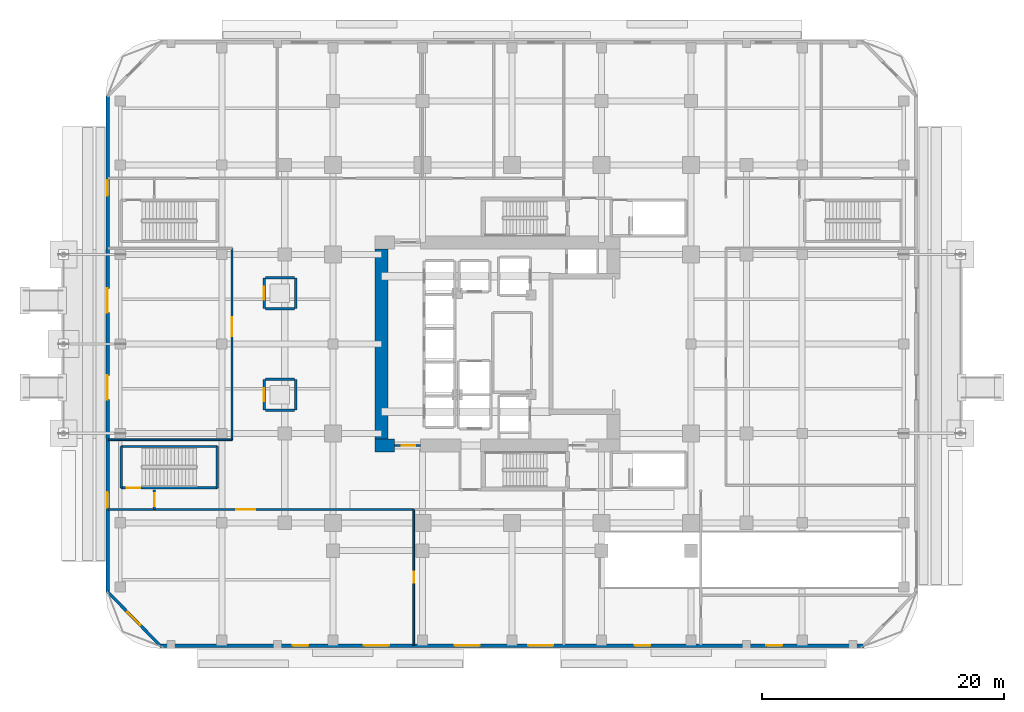
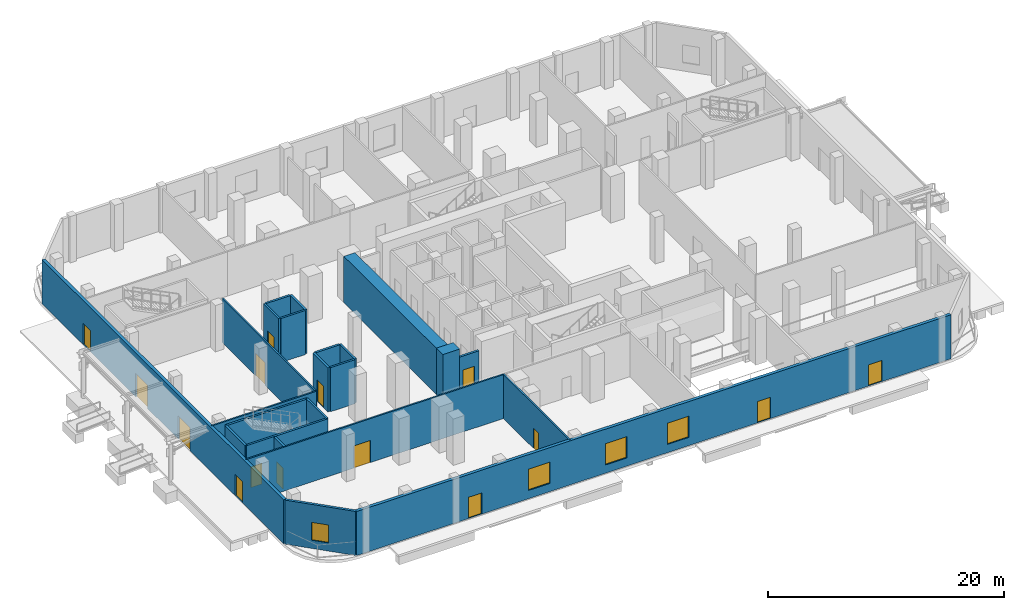
# One storey, part 13 of 24: 23 walls, 15 doors, 4 windows, 19 openings.
"""IFC4 building model written with IfcOpenShell, lengths in metres."""

from ifc_helpers import new_model, si_unit, direction, frame, frame_2d, origin, place, context, subcontext, project, spatial, rectangle, extrude, material, layer, layer_set, type_object, element, fill, save


model = new_model("IFC4")

# Units and contexts
model_context = context("Model", 3, precision=1e-05, world=origin(), true_north=direction((0.0, 1.0)))
body_context = subcontext(model_context, "Body", "Model", "MODEL_VIEW")
ifc_project = project(units=[si_unit("LENGTHUNIT", "METRE"), si_unit("AREAUNIT", "SQUARE_METRE"), si_unit("VOLUMEUNIT", "CUBIC_METRE"), si_unit("PLANEANGLEUNIT", "RADIAN"), si_unit("MASSUNIT", "GRAM", prefix="KILO")], contexts=[model_context])

# Site, building, storey
site_placement = place(None, origin())
site = spatial("IfcSite", under=ifc_project, at=site_placement, CompositionType="ELEMENT")
building_placement = place(site_placement, origin())
building = spatial("IfcBuilding", under=site, at=building_placement, Name="Khorvyn Point Tower", CompositionType="ELEMENT")
storey_placement = place(building_placement, origin())
storey = spatial("IfcBuildingStorey", under=building, at=storey_placement, Name="L01", CompositionType="ELEMENT", Elevation=0.0)

# Wall, opening, window
ifc_material_1 = material(Name="Pale anodised aluminium rainscreen on steel stud", Category="steel")
ifc_layer_1 = layer(ifc_material_1, 0.239990234375)
ifc_layer_set_1 = layer_set([ifc_layer_1], Name="Anodised Aluminium Insulated Corner Spandrel Wall 240")
wall_type_1 = type_object("IfcWallType", Name="Anodised Aluminium Insulated Corner Spandrel Wall 240", PredefinedType="SOLIDWALL", material=ifc_layer_set_1)
wall_1_placement = place(storey_placement, frame((-29.10009765625, -24.949951171875, 0.0), z_axis=(0.0, 0.0, 1.0), x_axis=(-0.69901822973, 0.715103848756, 0.0)))
wall_1 = element("IfcWall", 1, at=wall_1_placement, inside=storey, type_object=wall_type_1, Name="L01 Rounded Corner Wall SW", PredefinedType="SOLIDWALL", context=body_context, shape_type="SweptSolid", body=[
    extrude(rectangle(XDim=6.222900390625, YDim=0.239990234375, at=frame_2d((3.111328125, 0.0))), origin(), (0.0, 0.0, 1.0), 4.56005859375),
])
opening_1_placement = place(wall_1_placement, frame((2.361572265625, 0.0, 0.85009765625)))
opening_1 = element("IfcOpeningElement", 2, at=opening_1_placement, cuts=wall_1, Name="Opening WN-1518", PredefinedType="OPENING", context=body_context, shape_type="SweptSolid", body=[
    extrude(rectangle(XDim=1.5, YDim=1.85009765625, at=frame_2d((0.75, 0.925048828125))), frame((0.0, 0.1298828125, 0.0), z_axis=(0.0, -1.0, 0.0), x_axis=(1.0, 0.0, 0.0)), (0.0, 0.0, 1.0), 0.260009765625),
])
ifc_material_2 = material(Name="Anodised aluminium 6063-T6 and laminated Low-E glass", Category="aluminium")
window_type_1 = type_object("IfcWindowType", Name="Anodised Aluminium Rounded-Corner Panoramic Window 1500x1850", PartitioningType="SINGLE_PANEL", PredefinedType="WINDOW", material=ifc_material_2)
window_1_placement = place(opening_1_placement, origin())
window_1 = element("IfcWindow", 3, at=window_1_placement, inside=storey, type_object=window_type_1, Name="L01 Corner Window SW", OverallHeight=1.85009765625, OverallWidth=1.5, PartitioningType="SINGLE_PANEL", PredefinedType="WINDOW", context=body_context, shape_type="SweptSolid", body=[
    extrude(rectangle(XDim=1.5, YDim=1.85009765625, at=frame_2d((0.75, 0.925048828125))), frame((0.0, 0.030029296875, 0.0), z_axis=(0.0, -1.0, 0.0), x_axis=(1.0, 0.0, 0.0)), (0.0, 0.0, 1.0), 0.06005859375),
])
fill(opening_1, window_1)

# Wall, opening, door
ifc_material_3 = material(Name="Concrete C40/50", Category="concrete")
ifc_layer_2 = layer(ifc_material_3, 0.199951171875)
ifc_layer_set_2 = layer_set([ifc_layer_2], Name="Concrete C40/50 Fire-Lobby Compartment Wall 200")
wall_type_2 = type_object("IfcWallType", Name="Concrete C40/50 Fire-Lobby Compartment Wall 200", PredefinedType="SOLIDWALL", material=ifc_layer_set_2)
wall_2_placement = place(storey_placement, frame((-9.699951171875, -8.39990234375, 0.0), z_axis=(0.0, 0.0, 1.0), x_axis=(1.0, 0.0, 0.0)))
wall_2 = element("IfcWall", 4, at=wall_2_placement, inside=storey, type_object=wall_type_2, Name="Wall", PredefinedType="SOLIDWALL", context=body_context, shape_type="SweptSolid", body=[
    extrude(rectangle(XDim=2.14990234375, YDim=0.199951171875, at=frame_2d((1.074951171875, 0.0))), origin(), (0.0, 0.0, 1.0), 3.60009765625),
])
opening_2_placement = place(wall_2_placement, frame((0.597900390625, 0.0, 0.0)))
opening_2 = element("IfcOpeningElement", 5, at=opening_2_placement, cuts=wall_2, Name="Opening ID-FL90", PredefinedType="OPENING", context=body_context, shape_type="SweptSolid", body=[
    extrude(rectangle(XDim=1.10009765625, YDim=2.14990234375, at=frame_2d((0.550048828125, 1.074951171875))), frame((0.0, 0.10986328125, 0.0), z_axis=(0.0, -1.0, 0.0), x_axis=(1.0, 0.0, 0.0)), (0.0, 0.0, 1.0), 0.219970703125),
])
ifc_material_4 = material(Name="Galvanised powder-coated steel", Category="steel")
door_type_1 = type_object("IfcDoorType", Name="Fire-Rated Steel Lobby and Stair Door 1100x2150", OperationType="NOTDEFINED", PredefinedType="DOOR", material=ifc_material_4)
door_1_placement = place(opening_2_placement, origin())
door_1 = element("IfcDoor", 6, at=door_1_placement, inside=storey, type_object=door_type_1, Name="Door", OperationType="SINGLE_SWING_LEFT", OverallHeight=2.14990234375, OverallWidth=1.10009765625, PredefinedType="DOOR", context=body_context, shape_type="SweptSolid", body=[
    extrude(rectangle(XDim=1.10009765625, YDim=2.14990234375, at=frame_2d((0.550048828125, 1.074951171875))), frame((0.0, 0.02490234375, 0.0), z_axis=(0.0, -1.0, 0.0), x_axis=(1.0, 0.0, 0.0)), (0.0, 0.0, 1.0), 0.050048828125),
])
fill(opening_2, door_1)

wall_3_placement = place(storey_placement, frame((-29.580078125, -13.699951171875, 0.0), z_axis=(0.0, 0.0, 1.0), x_axis=(0.0, 1.0, 0.0)))
wall_3 = element("IfcWall", 7, at=wall_3_placement, inside=storey, type_object=wall_type_2, Name="Wall", PredefinedType="SOLIDWALL", context=body_context, shape_type="SweptSolid", body=[
    extrude(rectangle(XDim=1.639892578125, YDim=0.199951171875, at=frame_2d((0.81982421875, 0.0))), origin(), (0.0, 0.0, 1.0), 4.56005859375),
])
opening_3_placement = place(wall_3_placement, frame((0.27001953125, 0.0, 0.0)))
opening_3 = element("IfcOpeningElement", 8, at=opening_3_placement, cuts=wall_3, Name="Opening ID-FL90", PredefinedType="OPENING", context=body_context, shape_type="SweptSolid", body=[
    extrude(rectangle(XDim=1.10009765625, YDim=2.14990234375, at=frame_2d((0.550048828125, 1.074951171875))), frame((0.0, 0.10986328125, 0.0), z_axis=(0.0, -1.0, 0.0), x_axis=(1.0, 0.0, 0.0)), (0.0, 0.0, 1.0), 0.219970703125),
])
door_2_placement = place(opening_3_placement, origin())
door_2 = element("IfcDoor", 9, at=door_2_placement, inside=storey, type_object=door_type_1, Name="Door", OperationType="SINGLE_SWING_LEFT", OverallHeight=2.14990234375, OverallWidth=1.10009765625, PredefinedType="DOOR", context=body_context, shape_type="SweptSolid", body=[
    extrude(rectangle(XDim=1.10009765625, YDim=2.14990234375, at=frame_2d((0.550048828125, 1.074951171875))), frame((0.0, 0.02490234375, 0.0), z_axis=(0.0, -1.0, 0.0), x_axis=(1.0, 0.0, 0.0)), (0.0, 0.0, 1.0), 0.050048828125),
])
fill(opening_3, door_2)

ifc_layer_3 = layer(ifc_material_3, 0.199951171875)
ifc_layer_set_3 = layer_set([ifc_layer_3], Name="Concrete C40/50 Structural Hoistway and Stair Shaft Wall 200")
wall_type_3 = type_object("IfcWallType", Name="Concrete C40/50 Structural Hoistway and Stair Shaft Wall 200", PredefinedType="SHEAR", material=ifc_layer_set_3)
wall_4_placement = place(storey_placement, frame((-20.5, -5.47509765625, 0.0), z_axis=(0.0, 0.0, 1.0), x_axis=(0.0, 1.0, 0.0)))
wall_4 = element("IfcWall", 10, at=wall_4_placement, inside=storey, type_object=wall_type_3, Name="Wall", PredefinedType="SHEAR", context=body_context, shape_type="SweptSolid", body=[
    extrude(rectangle(XDim=2.550048828125, YDim=0.199951171875, at=frame_2d((1.27490234375, 0.0))), origin(), (0.0, 0.0, 1.0), 4.56005859375),
])
opening_4_placement = place(wall_4_placement, frame((0.72509765625, 0.0, 0.0)))
opening_4 = element("IfcOpeningElement", 11, at=opening_4_placement, cuts=wall_4, Name="Opening LD-1122", PredefinedType="OPENING", context=body_context, shape_type="SweptSolid", body=[
    extrude(rectangle(XDim=1.10009765625, YDim=2.199951171875, at=frame_2d((0.550048828125, 1.10009765625))), frame((0.0, 0.10986328125, 0.0), z_axis=(0.0, -1.0, 0.0), x_axis=(1.0, 0.0, 0.0)), (0.0, 0.0, 1.0), 0.219970703125),
])
ifc_material_5 = material(Name="Stainless steel 1.4301", Category="steel")
door_type_2 = type_object("IfcDoorType", Name="Stainless Steel Automatic Sliding Lift Landing Door 1100x2200", OperationType="SLIDING_TO_LEFT", PredefinedType="DOOR", material=ifc_material_5)
door_3_placement = place(opening_4_placement, origin())
door_3 = element("IfcDoor", 12, at=door_3_placement, inside=storey, type_object=door_type_2, Name="L01 SL-01 Sliding Lift Landing Door", OperationType="SLIDING_TO_LEFT", OverallHeight=2.199951171875, OverallWidth=1.10009765625, PredefinedType="DOOR", context=body_context, shape_type="SweptSolid", body=[
    extrude(rectangle(XDim=1.10009765625, YDim=2.199951171875, at=frame_2d((0.550048828125, 1.10009765625))), frame((0.0, 0.02490234375, 0.0), z_axis=(0.0, -1.0, 0.0), x_axis=(1.0, 0.0, 0.0)), (0.0, 0.0, 1.0), 0.050048828125),
])
fill(opening_4, door_3)

# Walls
wall_5_placement = place(storey_placement, frame((-17.89990234375, -5.47509765625, 0.0), z_axis=(0.0, 0.0, 1.0), x_axis=(0.0, 1.0, 0.0)))
element("IfcWall", 13, at=wall_5_placement, inside=storey, type_object=wall_type_3, Name="Wall", PredefinedType="SHEAR", context=body_context, shape_type="SweptSolid", body=[
    extrude(rectangle(XDim=2.550048828125, YDim=0.199951171875, at=frame_2d((1.27490234375, 0.0))), origin(), (0.0, 0.0, 1.0), 4.56005859375),
])
for number, where, z_axis, x_axis, name in (
    (14, (-20.39990234375, -5.47509765625, 0.0), (0.0, 0.0, 1.0), (1.0, 0.0, 0.0), "Wall"),
    (15, (-20.39990234375, -2.925048828125, 0.0), (0.0, 0.0, 1.0), (1.0, 0.0, 0.0), "Wall"),
):
    element("IfcWall", number, at=place(storey_placement, frame(where, z_axis=z_axis, x_axis=x_axis)), inside=storey, type_object=wall_type_3, Name=name, PredefinedType="SHEAR", context=body_context, shape_type="SweptSolid", body=[
        extrude(rectangle(XDim=2.39990234375, YDim=0.199951171875, at=frame_2d((1.199951171875, 0.0))), origin(), (0.0, 0.0, 1.0), 4.56005859375),
    ])

# Wall, opening, door
wall_6_placement = place(storey_placement, frame((-20.5, 2.925048828125, 0.0), z_axis=(0.0, 0.0, 1.0), x_axis=(0.0, 1.0, 0.0)))
wall_6 = element("IfcWall", 16, at=wall_6_placement, inside=storey, type_object=wall_type_3, Name="Wall", PredefinedType="SHEAR", context=body_context, shape_type="SweptSolid", body=[
    extrude(rectangle(XDim=2.550048828125, YDim=0.199951171875, at=frame_2d((1.27490234375, 0.0))), origin(), (0.0, 0.0, 1.0), 4.56005859375),
])
opening_5_placement = place(wall_6_placement, frame((0.72509765625, 0.0, 0.0)))
opening_5 = element("IfcOpeningElement", 17, at=opening_5_placement, cuts=wall_6, Name="Opening LD-1122", PredefinedType="OPENING", context=body_context, shape_type="SweptSolid", body=[
    extrude(rectangle(XDim=1.10009765625, YDim=2.199951171875, at=frame_2d((0.550048828125, 1.10009765625))), frame((0.0, 0.10986328125, 0.0), z_axis=(0.0, -1.0, 0.0), x_axis=(1.0, 0.0, 0.0)), (0.0, 0.0, 1.0), 0.219970703125),
])
door_4_placement = place(opening_5_placement, origin())
door_4 = element("IfcDoor", 18, at=door_4_placement, inside=storey, type_object=door_type_2, Name="L01 SL-02 Sliding Lift Landing Door", OperationType="SLIDING_TO_LEFT", OverallHeight=2.199951171875, OverallWidth=1.10009765625, PredefinedType="DOOR", context=body_context, shape_type="SweptSolid", body=[
    extrude(rectangle(XDim=1.10009765625, YDim=2.199951171875, at=frame_2d((0.550048828125, 1.10009765625))), frame((0.0, 0.02490234375, 0.0), z_axis=(0.0, -1.0, 0.0), x_axis=(1.0, 0.0, 0.0)), (0.0, 0.0, 1.0), 0.050048828125),
])
fill(opening_5, door_4)

# Walls
wall_7_placement = place(storey_placement, frame((-17.89990234375, 2.925048828125, 0.0), z_axis=(0.0, 0.0, 1.0), x_axis=(0.0, 1.0, 0.0)))
element("IfcWall", 19, at=wall_7_placement, inside=storey, type_object=wall_type_3, Name="Wall", PredefinedType="SHEAR", context=body_context, shape_type="SweptSolid", body=[
    extrude(rectangle(XDim=2.550048828125, YDim=0.199951171875, at=frame_2d((1.27490234375, 0.0))), origin(), (0.0, 0.0, 1.0), 4.56005859375),
])
for number, where, z_axis, x_axis, name in (
    (20, (-20.39990234375, 2.925048828125, 0.0), (0.0, 0.0, 1.0), (1.0, 0.0, 0.0), "Wall"),
    (21, (-20.39990234375, 5.47509765625, 0.0), (0.0, 0.0, 1.0), (1.0, 0.0, 0.0), "Wall"),
):
    element("IfcWall", number, at=place(storey_placement, frame(where, z_axis=z_axis, x_axis=x_axis)), inside=storey, type_object=wall_type_3, Name=name, PredefinedType="SHEAR", context=body_context, shape_type="SweptSolid", body=[
        extrude(rectangle(XDim=2.39990234375, YDim=0.199951171875, at=frame_2d((1.199951171875, 0.0))), origin(), (0.0, 0.0, 1.0), 4.56005859375),
    ])
for number, where, z_axis, x_axis, name in (
    (22, (-32.330078125, -11.89990234375, 0.0), (0.0, 0.0, 1.0), (0.0, 1.0, 0.0), "Wall"),
    (23, (-24.3701171875, -8.47998046875, 0.0), (0.0, 0.0, 1.0), (0.0, -1.0, 0.0), "Wall"),
):
    element("IfcWall", number, at=place(storey_placement, frame(where, z_axis=z_axis, x_axis=x_axis)), inside=storey, type_object=wall_type_3, Name=name, PredefinedType="SHEAR", context=body_context, shape_type="SweptSolid", body=[
        extrude(rectangle(XDim=3.419921875, YDim=0.199951171875, at=frame_2d((1.7099609375, 0.0))), origin(), (0.0, 0.0, 1.0), 4.56005859375),
    ])

# Wall, opening, door
wall_8_placement = place(storey_placement, frame((-24.3701171875, -11.89990234375, 0.0), z_axis=(0.0, 0.0, 1.0), x_axis=(-1.0, 0.0, 0.0)))
wall_8 = element("IfcWall", 24, at=wall_8_placement, inside=storey, type_object=wall_type_3, Name="Wall", PredefinedType="SHEAR", context=body_context, shape_type="SweptSolid", body=[
    extrude(rectangle(XDim=7.9599609375, YDim=0.199951171875, at=frame_2d((3.97998046875, 0.0))), origin(), (0.0, 0.0, 1.0), 4.56005859375),
])
opening_6_placement = place(wall_8_placement, frame((6.39990234375, 0.0, 0.0)))
opening_6 = element("IfcOpeningElement", 25, at=opening_6_placement, cuts=wall_8, Name="Opening ID-FL90", PredefinedType="OPENING", context=body_context, shape_type="SweptSolid", body=[
    extrude(rectangle(XDim=1.10009765625, YDim=2.14990234375, at=frame_2d((0.550048828125, 1.074951171875))), frame((0.0, 0.10986328125, 0.0), z_axis=(0.0, -1.0, 0.0), x_axis=(1.0, 0.0, 0.0)), (0.0, 0.0, 1.0), 0.219970703125),
])
door_5_placement = place(opening_6_placement, origin())
door_5 = element("IfcDoor", 26, at=door_5_placement, inside=storey, type_object=door_type_1, Name="L01 ST-S1 Smokeproof Landing Door", OperationType="SINGLE_SWING_RIGHT", OverallHeight=2.14990234375, OverallWidth=1.10009765625, PredefinedType="DOOR", context=body_context, shape_type="SweptSolid", body=[
    extrude(rectangle(XDim=1.10009765625, YDim=2.14990234375, at=frame_2d((0.550048828125, 1.074951171875))), frame((0.0, 0.02490234375, 0.0), z_axis=(0.0, -1.0, 0.0), x_axis=(1.0, 0.0, 0.0)), (0.0, 0.0, 1.0), 0.050048828125),
])
fill(opening_6, door_5)

# Walls
wall_9_placement = place(storey_placement, frame((-32.330078125, -8.47998046875, 0.0), z_axis=(0.0, 0.0, 1.0), x_axis=(1.0, 0.0, 0.0)))
element("IfcWall", 27, at=wall_9_placement, inside=storey, type_object=wall_type_3, Name="Wall", PredefinedType="SHEAR", context=body_context, shape_type="SweptSolid", body=[
    extrude(rectangle(XDim=7.9599609375, YDim=0.199951171875, at=frame_2d((3.97998046875, 0.0))), origin(), (0.0, 0.0, 1.0), 4.56005859375),
])
ifc_material_6 = material(Name="Concrete C50/60", Category="concrete")
ifc_layer_4 = layer(ifc_material_6, 1.10009765625)
ifc_layer_set_4 = layer_set([ifc_layer_4], Name="Concrete C50/60 Core Shear Wall 1100")
wall_type_4 = type_object("IfcWallType", Name="Concrete C50/60 Core Shear Wall 1100", PredefinedType="SHEAR", material=ifc_layer_set_4)
wall_10_placement = place(storey_placement, frame((-11.35009765625, -8.39990234375, 0.0), z_axis=(0.0, 0.0, 1.0), x_axis=(1.0, 0.0, 0.0)))
element("IfcWall", 28, at=wall_10_placement, inside=storey, type_object=wall_type_4, Name="Wall", PredefinedType="SHEAR", context=body_context, shape_type="SweptSolid", body=[
    extrude(rectangle(XDim=1.650146484375, YDim=1.10009765625, at=frame_2d((0.8251953125, 0.0))), origin(), (0.0, 0.0, 1.0), 4.800048828125),
])
wall_11_placement = place(storey_placement, frame((-10.800048828125, -7.85009765625, 0.0), z_axis=(0.0, 0.0, 1.0), x_axis=(0.0, 1.0, 0.0)))
element("IfcWall", 29, at=wall_11_placement, inside=storey, type_object=wall_type_4, Name="Wall", PredefinedType="SHEAR", context=body_context, shape_type="SweptSolid", body=[
    extrude(rectangle(XDim=15.7001953125, YDim=1.10009765625, at=frame_2d((7.85009765625, 0.0))), origin(), (0.0, 0.0, 1.0), 4.800048828125),
])

# Wall, opening, door
ifc_material_7 = material(Name="Moisture-resistant gypsum and cement board", Category="gypsum")
ifc_layer_5 = layer(ifc_material_7, 0.14990234375)
ifc_layer_set_5 = layer_set([ifc_layer_5], Name="Moisture-Resistant Wet-Room Partition Wall 150")
wall_type_5 = type_object("IfcWallType", Name="Moisture-Resistant Wet-Room Partition Wall 150", PredefinedType="PARTITIONING", material=ifc_layer_set_5)
wall_12_placement = place(storey_placement, frame((-33.419921875, -13.699951171875, 0.0), z_axis=(0.0, 0.0, 1.0), x_axis=(1.0, 0.0, 0.0)))
wall_12 = element("IfcWall", 30, at=wall_12_placement, inside=storey, type_object=wall_type_5, Name="Wall", PredefinedType="PARTITIONING", context=body_context, shape_type="SweptSolid", body=[
    extrude(rectangle(XDim=25.2998046875, YDim=0.14990234375, at=frame_2d((12.64990234375, 0.0))), origin(), (0.0, 0.0, 1.0), 4.56005859375),
])
opening_7_placement = place(wall_12_placement, frame((10.591064453125, 0.0, 0.0)))
opening_7 = element("IfcOpeningElement", 31, at=opening_7_placement, cuts=wall_12, Name="Opening ID-LB30", PredefinedType="OPENING", context=body_context, shape_type="SweptSolid", body=[
    extrude(rectangle(XDim=1.60009765625, YDim=2.300048828125, at=frame_2d((0.800048828125, 1.14990234375))), frame((0.0, 0.0849609375, 0.0), z_axis=(0.0, -1.0, 0.0), x_axis=(1.0, 0.0, 0.0)), (0.0, 0.0, 1.0), 0.169921875),
])
ifc_material_8 = material(Name="Anodised aluminium 6063-T6 and tempered glass", Category="aluminium")
door_type_3 = type_object("IfcDoorType", Name="Glazed Aluminium Sky-Lobby Double Swing Door 1600x2300", OperationType="DOUBLE_DOOR_SINGLE_SWING", PredefinedType="DOOR", material=ifc_material_8)
door_6_placement = place(opening_7_placement, origin())
door_6 = element("IfcDoor", 32, at=door_6_placement, inside=storey, type_object=door_type_3, Name="Door", OperationType="SINGLE_SWING_LEFT", OverallHeight=2.300048828125, OverallWidth=1.60009765625, PredefinedType="DOOR", context=body_context, shape_type="SweptSolid", body=[
    extrude(rectangle(XDim=1.60009765625, YDim=2.300048828125, at=frame_2d((0.800048828125, 1.14990234375))), frame((0.0, 0.02490234375, 0.0), z_axis=(0.0, -1.0, 0.0), x_axis=(1.0, 0.0, 0.0)), (0.0, 0.0, 1.0), 0.050048828125),
])
fill(opening_7, door_6)

wall_13_placement = place(storey_placement, frame((-8.1201171875, -24.919921875, 0.0), z_axis=(0.0, 0.0, 1.0), x_axis=(0.0, 1.0, 0.0)))
wall_13 = element("IfcWall", 33, at=wall_13_placement, inside=storey, type_object=wall_type_5, Name="Wall", PredefinedType="PARTITIONING", context=body_context, shape_type="SweptSolid", body=[
    extrude(rectangle(XDim=11.219970703125, YDim=0.14990234375, at=frame_2d((5.60986328125, 0.0))), origin(), (0.0, 0.0, 1.0), 4.56005859375),
])
opening_8_placement = place(wall_13_placement, frame((5.159912109375, 0.0, 0.0)))
opening_8 = element("IfcOpeningElement", 34, at=opening_8_placement, cuts=wall_13, Name="Opening ID-RM90", PredefinedType="OPENING", context=body_context, shape_type="SweptSolid", body=[
    extrude(rectangle(XDim=0.89990234375, YDim=2.10009765625, at=frame_2d((0.449951171875, 1.050048828125))), frame((0.0, 0.0849609375, 0.0), z_axis=(0.0, -1.0, 0.0), x_axis=(1.0, 0.0, 0.0)), (0.0, 0.0, 1.0), 0.169921875),
])
ifc_material_9 = material(Name="Engineered oak veneer timber", Category="wood")
door_type_4 = type_object("IfcDoorType", Name="Flush Engineered Timber Room Door 900x2100", OperationType="NOTDEFINED", PredefinedType="DOOR", material=ifc_material_9)
door_7_placement = place(opening_8_placement, origin())
door_7 = element("IfcDoor", 35, at=door_7_placement, inside=storey, type_object=door_type_4, Name="Door", OperationType="SINGLE_SWING_RIGHT", OverallHeight=2.10009765625, OverallWidth=0.89990234375, PredefinedType="DOOR", context=body_context, shape_type="SweptSolid", body=[
    extrude(rectangle(XDim=0.89990234375, YDim=2.10009765625, at=frame_2d((0.449951171875, 1.050048828125))), frame((0.0, 0.02490234375, 0.0), z_axis=(0.0, -1.0, 0.0), x_axis=(1.0, 0.0, 0.0)), (0.0, 0.0, 1.0), 0.050048828125),
])
fill(opening_8, door_7)

wall_14_placement = place(storey_placement, frame((-23.159912109375, -7.919921875, 0.0), z_axis=(0.0, 0.0, 1.0), x_axis=(0.0, 1.0, 0.0)))
wall_14 = element("IfcWall", 36, at=wall_14_placement, inside=storey, type_object=wall_type_5, Name="Wall", PredefinedType="PARTITIONING", context=body_context, shape_type="SweptSolid", body=[
    extrude(rectangle(XDim=15.83984375, YDim=0.14990234375, at=frame_2d((7.919921875, 0.0))), origin(), (0.0, 0.0, 1.0), 4.56005859375),
])
opening_9_placement = place(wall_14_placement, frame((8.547607421875, 0.0, 0.0)))
opening_9 = element("IfcOpeningElement", 37, at=opening_9_placement, cuts=wall_14, Name="Opening ID-LB30", PredefinedType="OPENING", context=body_context, shape_type="SweptSolid", body=[
    extrude(rectangle(XDim=1.60009765625, YDim=2.300048828125, at=frame_2d((0.800048828125, 1.14990234375))), frame((0.0, 0.0849609375, 0.0), z_axis=(0.0, -1.0, 0.0), x_axis=(1.0, 0.0, 0.0)), (0.0, 0.0, 1.0), 0.169921875),
])
door_8_placement = place(opening_9_placement, origin())
door_8 = element("IfcDoor", 38, at=door_8_placement, inside=storey, type_object=door_type_3, Name="Door", OperationType="SINGLE_SWING_LEFT", OverallHeight=2.300048828125, OverallWidth=1.60009765625, PredefinedType="DOOR", context=body_context, shape_type="SweptSolid", body=[
    extrude(rectangle(XDim=1.60009765625, YDim=2.300048828125, at=frame_2d((0.800048828125, 1.14990234375))), frame((0.0, 0.02490234375, 0.0), z_axis=(0.0, -1.0, 0.0), x_axis=(1.0, 0.0, 0.0)), (0.0, 0.0, 1.0), 0.050048828125),
])
fill(opening_9, door_8)

# Wall
wall_15_placement = place(storey_placement, frame((-33.419921875, -7.919921875, 0.0), z_axis=(0.0, 0.0, 1.0), x_axis=(1.0, 0.0, 0.0)))
element("IfcWall", 39, at=wall_15_placement, inside=storey, type_object=wall_type_5, Name="Wall", PredefinedType="PARTITIONING", context=body_context, shape_type="SweptSolid", body=[
    extrude(rectangle(XDim=10.260009765625, YDim=0.14990234375, at=frame_2d((5.1298828125, 0.0))), origin(), (0.0, 0.0, 1.0), 4.56005859375),
])

# Wall, openings, windows, doors
ifc_material_10 = material(Name="Precast concrete C35/45", Category="concrete")
ifc_layer_6 = layer(ifc_material_10, 0.300048828125)
ifc_layer_set_6 = layer_set([ifc_layer_6], Name="Precast Concrete C35/45 Insulated Podium Facade Wall 300")
wall_type_6 = type_object("IfcWallType", Name="Precast Concrete C35/45 Insulated Podium Facade Wall 300", PredefinedType="SOLIDWALL", material=ifc_layer_set_6)
wall_16_placement = place(storey_placement, frame((29.10009765625, -24.949951171875, 0.0), z_axis=(0.0, 0.0, 1.0), x_axis=(-1.0, 0.0, 0.0)))
wall_16 = element("IfcWall", 40, at=wall_16_placement, inside=storey, type_object=wall_type_6, Name="L01 South Podium Facade Wall", PredefinedType="SOLIDWALL", context=body_context, shape_type="SweptSolid", body=[
    extrude(rectangle(XDim=58.2001953125, YDim=0.300048828125, at=frame_2d((29.10009765625, 0.0))), origin(), (0.0, 0.0, 1.0), 4.56005859375),
])
opening_10_placement = place(wall_16_placement, frame((39.260009765625, 0.0, 0.85009765625)))
opening_10 = element("IfcOpeningElement", 41, at=opening_10_placement, cuts=wall_16, Name="Opening WN-2122", PredefinedType="OPENING", context=body_context, shape_type="SweptSolid", body=[
    extrude(rectangle(XDim=2.10009765625, YDim=2.199951171875, at=frame_2d((1.050048828125, 1.10009765625))), frame((0.0, 0.159912109375, 0.0), z_axis=(0.0, -1.0, 0.0), x_axis=(1.0, 0.0, 0.0)), (0.0, 0.0, 1.0), 0.320068359375),
])
opening_11_placement = place(wall_16_placement, frame((31.75, 0.0, 0.85009765625)))
opening_11 = element("IfcOpeningElement", 42, at=opening_11_placement, cuts=wall_16, Name="Opening WN-2122", PredefinedType="OPENING", context=body_context, shape_type="SweptSolid", body=[
    extrude(rectangle(XDim=2.10009765625, YDim=2.199951171875, at=frame_2d((1.050048828125, 1.10009765625))), frame((0.0, 0.159912109375, 0.0), z_axis=(0.0, -1.0, 0.0), x_axis=(1.0, 0.0, 0.0)), (0.0, 0.0, 1.0), 0.320068359375),
])
opening_12_placement = place(wall_16_placement, frame((25.672119140625, 0.0, 0.85009765625)))
opening_12 = element("IfcOpeningElement", 43, at=opening_12_placement, cuts=wall_16, Name="Opening WN-2122", PredefinedType="OPENING", context=body_context, shape_type="SweptSolid", body=[
    extrude(rectangle(XDim=2.10009765625, YDim=2.199951171875, at=frame_2d((1.050048828125, 1.10009765625))), frame((0.0, 0.159912109375, 0.0), z_axis=(0.0, -1.0, 0.0), x_axis=(1.0, 0.0, 0.0)), (0.0, 0.0, 1.0), 0.320068359375),
])
opening_13_placement = place(wall_16_placement, frame((17.64990234375, 0.0, 0.0)))
opening_13 = element("IfcOpeningElement", 44, at=opening_13_placement, cuts=wall_16, Name="Opening ED-1322", PredefinedType="OPENING", context=body_context, shape_type="SweptSolid", body=[
    extrude(rectangle(XDim=1.300048828125, YDim=2.199951171875, at=frame_2d((0.64990234375, 1.10009765625))), frame((0.0, 0.159912109375, 0.0), z_axis=(0.0, -1.0, 0.0), x_axis=(1.0, 0.0, 0.0)), (0.0, 0.0, 1.0), 0.320068359375),
])
opening_14_placement = place(wall_16_placement, frame((6.75, 0.0, 0.0)))
opening_14 = element("IfcOpeningElement", 45, at=opening_14_placement, cuts=wall_16, Name="Opening ED-1322", PredefinedType="OPENING", context=body_context, shape_type="SweptSolid", body=[
    extrude(rectangle(XDim=1.300048828125, YDim=2.199951171875, at=frame_2d((0.64990234375, 1.10009765625))), frame((0.0, 0.159912109375, 0.0), z_axis=(0.0, -1.0, 0.0), x_axis=(1.0, 0.0, 0.0)), (0.0, 0.0, 1.0), 0.320068359375),
])
opening_15_placement = place(wall_16_placement, frame((45.949951171875, 0.0, 0.0)))
opening_15 = element("IfcOpeningElement", 46, at=opening_15_placement, cuts=wall_16, Name="Opening ED-1322", PredefinedType="OPENING", context=body_context, shape_type="SweptSolid", body=[
    extrude(rectangle(XDim=1.300048828125, YDim=2.199951171875, at=frame_2d((0.64990234375, 1.10009765625))), frame((0.0, 0.159912109375, 0.0), z_axis=(0.0, -1.0, 0.0), x_axis=(1.0, 0.0, 0.0)), (0.0, 0.0, 1.0), 0.320068359375),
])
window_type_2 = type_object("IfcWindowType", Name="Anodised Aluminium School Classroom Daylight Window 2100x2200", PartitioningType="TRIPLE_PANEL_HORIZONTAL", PredefinedType="WINDOW", material=ifc_material_2)
window_2_placement = place(opening_10_placement, origin())
window_2 = element("IfcWindow", 47, at=window_2_placement, inside=storey, type_object=window_type_2, Name="L01 South Podium Daylight Window S1", OverallHeight=2.199951171875, OverallWidth=2.10009765625, PartitioningType="SINGLE_PANEL", PredefinedType="WINDOW", context=body_context, shape_type="SweptSolid", body=[
    extrude(rectangle(XDim=2.10009765625, YDim=2.199951171875, at=frame_2d((1.050048828125, 1.10009765625))), frame((0.0, 0.030029296875, 0.0), z_axis=(0.0, -1.0, 0.0), x_axis=(1.0, 0.0, 0.0)), (0.0, 0.0, 1.0), 0.06005859375),
])
fill(opening_10, window_2)
window_3_placement = place(opening_11_placement, origin())
window_3 = element("IfcWindow", 48, at=window_3_placement, inside=storey, type_object=window_type_2, Name="L01 South Podium Daylight Window S2", OverallHeight=2.199951171875, OverallWidth=2.10009765625, PartitioningType="SINGLE_PANEL", PredefinedType="WINDOW", context=body_context, shape_type="SweptSolid", body=[
    extrude(rectangle(XDim=2.10009765625, YDim=2.199951171875, at=frame_2d((1.050048828125, 1.10009765625))), frame((0.0, 0.030029296875, 0.0), z_axis=(0.0, -1.0, 0.0), x_axis=(1.0, 0.0, 0.0)), (0.0, 0.0, 1.0), 0.06005859375),
])
fill(opening_11, window_3)
window_4_placement = place(opening_12_placement, origin())
window_4 = element("IfcWindow", 49, at=window_4_placement, inside=storey, type_object=window_type_2, Name="L01 South Podium Daylight Window S3", OverallHeight=2.199951171875, OverallWidth=2.10009765625, PartitioningType="SINGLE_PANEL", PredefinedType="WINDOW", context=body_context, shape_type="SweptSolid", body=[
    extrude(rectangle(XDim=2.10009765625, YDim=2.199951171875, at=frame_2d((1.050048828125, 1.10009765625))), frame((0.0, 0.030029296875, 0.0), z_axis=(0.0, -1.0, 0.0), x_axis=(1.0, 0.0, 0.0)), (0.0, 0.0, 1.0), 0.06005859375),
])
fill(opening_12, window_4)
door_type_5 = type_object("IfcDoorType", Name="Fire-Exit Steel Discharge Swing Door 1300x2200", OperationType="NOTDEFINED", PredefinedType="DOOR", material=ifc_material_4)
door_9_placement = place(opening_13_placement, origin())
door_9 = element("IfcDoor", 50, at=door_9_placement, inside=storey, type_object=door_type_5, Name="L01 South Protected Stair Exit Discharge Door", OperationType="SINGLE_SWING_LEFT", OverallHeight=2.199951171875, OverallWidth=1.300048828125, PredefinedType="DOOR", context=body_context, shape_type="SweptSolid", body=[
    extrude(rectangle(XDim=1.300048828125, YDim=2.199951171875, at=frame_2d((0.64990234375, 1.10009765625))), frame((0.0, 0.02490234375, 0.0), z_axis=(0.0, -1.0, 0.0), x_axis=(1.0, 0.0, 0.0)), (0.0, 0.0, 1.0), 0.050048828125),
])
fill(opening_13, door_9)
door_10_placement = place(opening_14_placement, origin())
door_10 = element("IfcDoor", 51, at=door_10_placement, inside=storey, type_object=door_type_5, Name="L01 Loading Bay Service Exit Door", OperationType="SINGLE_SWING_RIGHT", OverallHeight=2.199951171875, OverallWidth=1.300048828125, PredefinedType="DOOR", context=body_context, shape_type="SweptSolid", body=[
    extrude(rectangle(XDim=1.300048828125, YDim=2.199951171875, at=frame_2d((0.64990234375, 1.10009765625))), frame((0.0, 0.02490234375, 0.0), z_axis=(0.0, -1.0, 0.0), x_axis=(1.0, 0.0, 0.0)), (0.0, 0.0, 1.0), 0.050048828125),
])
fill(opening_14, door_10)
door_11_placement = place(opening_15_placement, origin())
door_11 = element("IfcDoor", 52, at=door_11_placement, inside=storey, type_object=door_type_5, Name="L01 School South Classroom Exit Door", OperationType="SINGLE_SWING_LEFT", OverallHeight=2.199951171875, OverallWidth=1.300048828125, PredefinedType="DOOR", context=body_context, shape_type="SweptSolid", body=[
    extrude(rectangle(XDim=1.300048828125, YDim=2.199951171875, at=frame_2d((0.64990234375, 1.10009765625))), frame((0.0, 0.02490234375, 0.0), z_axis=(0.0, -1.0, 0.0), x_axis=(1.0, 0.0, 0.0)), (0.0, 0.0, 1.0), 0.050048828125),
])
fill(opening_15, door_11)

# Wall, openings, doors
wall_17_placement = place(storey_placement, frame((-33.449951171875, -20.5, 0.0), z_axis=(0.0, 0.0, 1.0), x_axis=(0.0, 1.0, 0.0)))
wall_17 = element("IfcWall", 53, at=wall_17_placement, inside=storey, type_object=wall_type_6, Name="L01 West School Entrance Wall", PredefinedType="SOLIDWALL", context=body_context, shape_type="SweptSolid", body=[
    extrude(rectangle(XDim=41.0, YDim=0.300048828125, at=frame_2d((20.5, 0.0))), origin(), (0.0, 0.0, 1.0), 4.56005859375),
])
opening_16_placement = place(wall_17_placement, frame((15.89990234375, 0.0, 0.0)))
opening_16 = element("IfcOpeningElement", 54, at=opening_16_placement, cuts=wall_17, Name="Opening ED-2024", PredefinedType="OPENING", context=body_context, shape_type="SweptSolid", body=[
    extrude(rectangle(XDim=2.0, YDim=2.39990234375, at=frame_2d((1.0, 1.199951171875))), frame((0.0, 0.159912109375, 0.0), z_axis=(0.0, -1.0, 0.0), x_axis=(1.0, 0.0, 0.0)), (0.0, 0.0, 1.0), 0.320068359375),
])
opening_17_placement = place(wall_17_placement, frame((23.10009765625, 0.0, 0.0)))
opening_17 = element("IfcOpeningElement", 55, at=opening_17_placement, cuts=wall_17, Name="Opening ED-2024", PredefinedType="OPENING", context=body_context, shape_type="SweptSolid", body=[
    extrude(rectangle(XDim=2.0, YDim=2.39990234375, at=frame_2d((1.0, 1.199951171875))), frame((0.0, 0.159912109375, 0.0), z_axis=(0.0, -1.0, 0.0), x_axis=(1.0, 0.0, 0.0)), (0.0, 0.0, 1.0), 0.320068359375),
])
opening_18_placement = place(wall_17_placement, frame((6.949951171875, 0.0, 0.0)))
opening_18 = element("IfcOpeningElement", 56, at=opening_18_placement, cuts=wall_17, Name="Opening ED-1322", PredefinedType="OPENING", context=body_context, shape_type="SweptSolid", body=[
    extrude(rectangle(XDim=1.300048828125, YDim=2.199951171875, at=frame_2d((0.64990234375, 1.10009765625))), frame((0.0, 0.159912109375, 0.0), z_axis=(0.0, -1.0, 0.0), x_axis=(1.0, 0.0, 0.0)), (0.0, 0.0, 1.0), 0.320068359375),
])
opening_19_placement = place(wall_17_placement, frame((32.75, 0.0, 0.0)))
opening_19 = element("IfcOpeningElement", 57, at=opening_19_placement, cuts=wall_17, Name="Opening ED-1322", PredefinedType="OPENING", context=body_context, shape_type="SweptSolid", body=[
    extrude(rectangle(XDim=1.300048828125, YDim=2.199951171875, at=frame_2d((0.64990234375, 1.10009765625))), frame((0.0, 0.159912109375, 0.0), z_axis=(0.0, -1.0, 0.0), x_axis=(1.0, 0.0, 0.0)), (0.0, 0.0, 1.0), 0.320068359375),
])
door_12_placement = place(opening_18_placement, origin())
door_12 = element("IfcDoor", 58, at=door_12_placement, inside=storey, type_object=door_type_5, Name="L01 ST-S1 West Protected Stair Discharge Door", OperationType="SINGLE_SWING_LEFT", OverallHeight=2.199951171875, OverallWidth=1.300048828125, PredefinedType="DOOR", context=body_context, shape_type="SweptSolid", body=[
    extrude(rectangle(XDim=1.300048828125, YDim=2.199951171875, at=frame_2d((0.64990234375, 1.10009765625))), frame((0.0, 0.02490234375, 0.0), z_axis=(0.0, -1.0, 0.0), x_axis=(1.0, 0.0, 0.0)), (0.0, 0.0, 1.0), 0.050048828125),
])
fill(opening_18, door_12)
door_13_placement = place(opening_19_placement, origin())
door_13 = element("IfcDoor", 59, at=door_13_placement, inside=storey, type_object=door_type_5, Name="L01 ST-S2 Northwest Protected Stair Discharge Door", OperationType="SINGLE_SWING_RIGHT", OverallHeight=2.199951171875, OverallWidth=1.300048828125, PredefinedType="DOOR", context=body_context, shape_type="SweptSolid", body=[
    extrude(rectangle(XDim=1.300048828125, YDim=2.199951171875, at=frame_2d((0.64990234375, 1.10009765625))), frame((0.0, 0.02490234375, 0.0), z_axis=(0.0, -1.0, 0.0), x_axis=(1.0, 0.0, 0.0)), (0.0, 0.0, 1.0), 0.050048828125),
])
fill(opening_19, door_13)
door_type_6 = type_object("IfcDoorType", Name="Glazed Aluminium Entrance Double Swing Door 2000x2400", OperationType="DOUBLE_DOOR_SINGLE_SWING", PredefinedType="DOOR", material=ifc_material_8)
door_14_placement = place(opening_16_placement, origin())
door_14 = element("IfcDoor", 60, at=door_14_placement, inside=storey, type_object=door_type_6, Name="L01 School Main West Entrance Door", OperationType="SINGLE_SWING_LEFT", OverallHeight=2.39990234375, OverallWidth=2.0, PredefinedType="DOOR", context=body_context, shape_type="SweptSolid", body=[
    extrude(rectangle(XDim=2.0, YDim=2.39990234375, at=frame_2d((1.0, 1.199951171875))), frame((0.0, 0.02490234375, 0.0), z_axis=(0.0, -1.0, 0.0), x_axis=(1.0, 0.0, 0.0)), (0.0, 0.0, 1.0), 0.050048828125),
])
fill(opening_16, door_14)
door_15_placement = place(opening_17_placement, origin())
door_15 = element("IfcDoor", 61, at=door_15_placement, inside=storey, type_object=door_type_6, Name="L01 School North-West Entrance Door", OperationType="SINGLE_SWING_LEFT", OverallHeight=2.39990234375, OverallWidth=2.0, PredefinedType="DOOR", context=body_context, shape_type="SweptSolid", body=[
    extrude(rectangle(XDim=2.0, YDim=2.39990234375, at=frame_2d((1.0, 1.199951171875))), frame((0.0, 0.02490234375, 0.0), z_axis=(0.0, -1.0, 0.0), x_axis=(1.0, 0.0, 0.0)), (0.0, 0.0, 1.0), 0.050048828125),
])
fill(opening_17, door_15)

save(model, "model.ifc")
